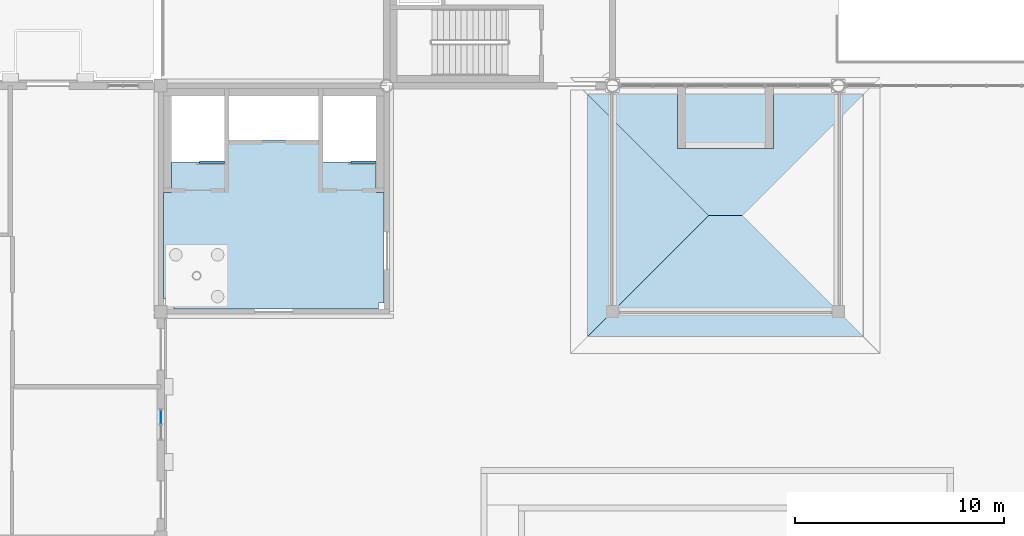
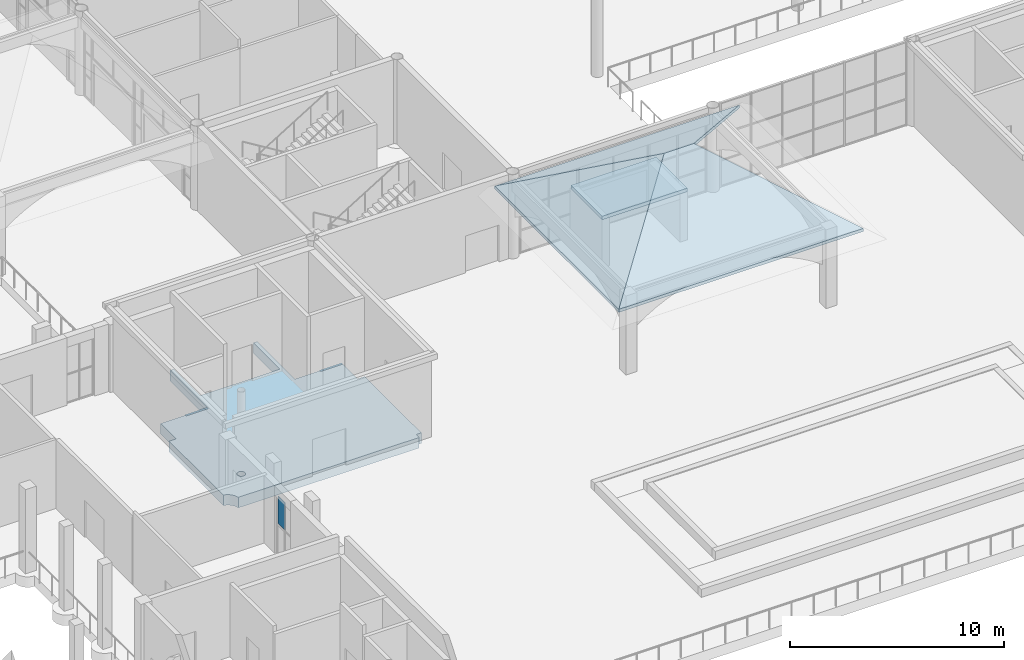
# One storey, part 33 of 91: 7 slabs, 1 plate, 1 element without a shape of its own.
"""IFC4 building model written with IfcOpenShell, lengths in metres."""

from ifc_helpers import new_model, si_unit, direction, frame, origin, origin_2d, place, context, subcontext, project, spatial, polyline, rectangle, outline, extrude, material, layer, layer_set, type_object, element, aggregate, save


model = new_model("IFC4")

# Units and contexts
model_context = context("Model", 3, precision=1e-05, world=origin(), true_north=direction((0.0, 1.0)))
body_context = subcontext(model_context, "Body", "Model", "MODEL_VIEW")
ifc_project = project(units=[si_unit("LENGTHUNIT", "METRE"), si_unit("AREAUNIT", "SQUARE_METRE"), si_unit("VOLUMEUNIT", "CUBIC_METRE"), si_unit("PLANEANGLEUNIT", "RADIAN"), si_unit("MASSUNIT", "GRAM", prefix="KILO")], contexts=[model_context])

# Site, building, storey
site_placement = place(None, origin())
site = spatial("IfcSite", under=ifc_project, at=site_placement, CompositionType="ELEMENT")
building_placement = place(site_placement, origin())
building = spatial("IfcBuilding", under=site, at=building_placement, Name="Magnolia Steps Interchange", CompositionType="ELEMENT")
storey_placement = place(building_placement, origin())
storey = spatial("IfcBuildingStorey", under=building, at=storey_placement, Name="L00", CompositionType="ELEMENT", Elevation=0.0)

# Slabs
ifc_material_1 = material(Name="Concrete C35", Category="concrete")
ifc_layer_1 = layer(ifc_material_1, 0.199951171875)
ifc_layer_set_1 = layer_set([ifc_layer_1], Name="Core floor nib 200")
slab_type_1 = type_object("IfcSlabType", Name="Core floor nib 200", PredefinedType="FLOOR", material=ifc_layer_set_1)
slab_1_placement = place(storey_placement, frame((0.0, 0.0, -0.199951171875)))
element("IfcSlab", 1, at=slab_1_placement, inside=storey, type_object=slab_type_1, Name="L00 core floor nib BC1", PredefinedType="FLOOR", context=body_context, shape_type="SweptSolid", body=[
    extrude(outline(polyline([(44.25, 38.679931640625), (44.25, 38.800048828125), (45.449951171875, 38.800048828125), (45.449951171875, 38.679931640625), (44.25, 38.679931640625)])), origin(), (0.0, 0.0, 1.0), 0.199951171875),
])
slab_2_placement = place(storey_placement, frame((0.0, 0.0, -0.199951171875)))
element("IfcSlab", 2, at=slab_2_placement, inside=storey, type_object=slab_type_1, Name="L00 core floor nib BC1", PredefinedType="FLOOR", context=body_context, shape_type="SweptSolid", body=[
    extrude(outline(polyline([(51.5, 38.679931640625), (51.5, 38.800048828125), (52.699951171875, 38.800048828125), (52.699951171875, 38.679931640625), (51.5, 38.679931640625)])), origin(), (0.0, 0.0, 1.0), 0.199951171875),
])
ifc_material_2 = material(Name="Concrete C35", Category="concrete")
ifc_layer_2 = layer(ifc_material_2, 0.60009765625)
ifc_layer_set_2 = layer_set([ifc_layer_2], Name="Core floor slab 600")
slab_type_2 = type_object("IfcSlabType", Name="Core floor slab 600", PredefinedType="FLOOR", material=ifc_layer_set_2)
slab_3_placement = place(storey_placement, frame((0.0, 0.0, -0.60009765625)))
element("IfcSlab", 3, at=slab_3_placement, inside=storey, type_object=slab_type_2, Name="L00 core floor BC1", PredefinedType="FLOOR", context=body_context, shape_type="SweptSolid", body=[
    extrude(outline(polyline([(42.52490234375, 37.300048828125), (42.89990234375, 37.300048828125), (42.89990234375, 38.75), (44.25, 38.75), (44.25, 38.679931640625), (45.449951171875, 38.679931640625), (45.449951171875, 42.27490234375), (45.64990234375, 42.27490234375), (45.64990234375, 39.800048828125), (49.949951171875, 39.800048828125), (49.949951171875, 42.27490234375), (50.14990234375, 42.27490234375), (50.14990234375, 38.75), (51.5, 38.75), (51.5, 38.679931640625), (52.699951171875, 38.679931640625), (52.699951171875, 37.300048828125), (53.074951171875, 37.300048828125), (53.074951171875, 32.0), (52.800048828125, 32.0), (52.800048828125, 31.72509765625), (43.037841796875, 31.72509765625), (43.03759765625, 31.726806640625), (43.02197265625, 31.788818359375), (43.00048828125, 31.8486328125), (42.97314453125, 31.906494140625), (42.9404296875, 31.961181640625), (42.902587890625, 32.012451171875), (42.859619140625, 32.0595703125), (42.8125, 32.1025390625), (42.760986328125, 32.140380859375), (42.706298828125, 32.173095703125), (42.648681640625, 32.200439453125), (42.588623046875, 32.221923828125), (42.52685546875, 32.237548828125), (42.52490234375, 32.23779296875), (42.52490234375, 37.300048828125)]), holes=[polyline([(44.312744140625, 33.274169921875), (44.315673828125, 33.293701171875), (44.316650390625, 33.313720703125), (44.315673828125, 33.33349609375), (44.312744140625, 33.353271484375), (44.307861328125, 33.37255859375), (44.30126953125, 33.391357421875), (44.292724609375, 33.409423828125), (44.282470703125, 33.426513671875), (44.2705078125, 33.4423828125), (44.25732421875, 33.457275390625), (44.242431640625, 33.470703125), (44.2265625, 33.482421875), (44.20947265625, 33.49267578125), (44.19140625, 33.501220703125), (44.172607421875, 33.508056640625), (44.1533203125, 33.5126953125), (44.133544921875, 33.515625), (44.11376953125, 33.5166015625), (44.09375, 33.515625), (44.07421875, 33.5126953125), (44.0546875, 33.508056640625), (44.0361328125, 33.501220703125), (44.01806640625, 33.49267578125), (44.0009765625, 33.482421875), (43.98486328125, 33.470703125), (43.97021484375, 33.457275390625), (43.956787109375, 33.4423828125), (43.94482421875, 33.426513671875), (43.9345703125, 33.409423828125), (43.92626953125, 33.391357421875), (43.91943359375, 33.37255859375), (43.91455078125, 33.353271484375), (43.91162109375, 33.33349609375), (43.91064453125, 33.313720703125), (43.91162109375, 33.293701171875), (43.91455078125, 33.274169921875), (43.91943359375, 33.2548828125), (43.92626953125, 33.236083984375), (43.9345703125, 33.218017578125), (43.94482421875, 33.200927734375), (43.956787109375, 33.184814453125), (43.97021484375, 33.170166015625), (43.98486328125, 33.15673828125), (44.0009765625, 33.14501953125), (44.01806640625, 33.134765625), (44.0361328125, 33.126220703125), (44.0546875, 33.119384765625), (44.07421875, 33.114501953125), (44.09375, 33.111572265625), (44.11376953125, 33.110595703125), (44.133544921875, 33.111572265625), (44.1533203125, 33.114501953125), (44.172607421875, 33.119384765625), (44.19140625, 33.126220703125), (44.20947265625, 33.134765625), (44.2265625, 33.14501953125), (44.242431640625, 33.15673828125), (44.25732421875, 33.170166015625), (44.2705078125, 33.184814453125), (44.282470703125, 33.200927734375), (44.292724609375, 33.218017578125), (44.30126953125, 33.236083984375), (44.307861328125, 33.2548828125), (44.312744140625, 33.274169921875)])]), origin(), (0.0, 0.0, 1.0), 0.60009765625),
])
ifc_material_3 = material(Name="Concrete C40", Category="concrete")
ifc_layer_3 = layer(ifc_material_3, 0.199951171875)
ifc_layer_set_3 = layer_set([ifc_layer_3], Name="Entrance canopy slab 200")
slab_type_3 = type_object("IfcSlabType", Name="Entrance canopy slab 200", PredefinedType="ROOF", material=ifc_layer_set_3)
slab_4_placement = place(storey_placement, frame((0.0, 0.0, 2.75)))
element("IfcSlab", 4, at=slab_4_placement, inside=storey, type_object=slab_type_3, Name="Entrance canopy 2", PredefinedType="ROOF", context=body_context, shape_type="SweptSolid", body=[
    extrude(outline(polyline([(67.10009765625, 39.39990234375), (71.699951171875, 39.39990234375), (71.699951171875, 42.324951171875), (67.10009765625, 42.324951171875), (67.10009765625, 39.39990234375)])), origin(), (0.0, 0.0, 1.0), 0.199951171875),
])

# Curtain wall, plate
ifc_material_4 = material(Name="Timber-framed glazing", Category="wood")
ifc_layer_4 = layer(ifc_material_4, 0.139892578125)
ifc_layer_set_4 = layer_set([ifc_layer_4], Name="Cycle hub shopfront curtain wall")
curtain_wall_type = type_object("IfcCurtainWallType", Name="Cycle hub shopfront curtain wall", PredefinedType="NOTDEFINED", material=ifc_layer_set_4)
curtain_wall_placement = place(storey_placement, origin())
curtain_wall = element("IfcCurtainWall", 5, at=curtain_wall_placement, inside=storey, type_object=curtain_wall_type, Name="Cycle hub east wall L00 glazing 2", PredefinedType="NOTDEFINED")
ifc_material_5 = material(Name="Laminated glass", Category="glass")
ifc_layer_5 = layer(ifc_material_5, 0.028076171875)
ifc_layer_set_5 = layer_set([ifc_layer_5], Name="Glass panel 28")
plate_type = type_object("IfcPlateType", Name="Glass panel 28", PredefinedType="CURTAIN_PANEL", material=ifc_layer_set_5)
plate_placement = place(storey_placement, frame((42.39990234375, 26.56005859375, 1.679931640625), z_axis=(0.0, 0.0, 1.0), x_axis=(0.0, 1.0, 0.0)))
plate = element("IfcPlate", 6, at=plate_placement, type_object=plate_type, Name="CW7 panel 2.2", PredefinedType="CURTAIN_PANEL", context=body_context, shape_type="SweptSolid", body=[
    extrude(rectangle(XDim=0.659912109375, YDim=0.028076171875, at=origin_2d()), origin(), (0.0, 0.0, 1.0), 1.56005859375),
])
aggregate(curtain_wall, [plate])

# Slabs
ifc_material_6 = material(Name="Concrete C40", Category="concrete")
ifc_layer_6 = layer(ifc_material_6, 0.14990234375)
ifc_layer_set_6 = layer_set([ifc_layer_6], Name="Pavilion roof slab 150")
slab_type_4 = type_object("IfcSlabType", Name="Pavilion roof slab 150", PredefinedType="ROOF", material=ifc_layer_set_6)
for number, where, z_axis, x_axis, name in (
    (7, (62.800048828125, 30.39990234375, 4.606689453125), (0.0, -0.500543489735, 0.865711392373), (1.0, 0.0, 0.0), "Portico roof slab PT-S2 1"),
    (8, (76.0, 42.0, 4.606689453125), (0.0, 0.500543489735, 0.865711392373), (-1.0, 0.0, 0.0), "Portico roof slab PT-S2 2"),
):
    element("IfcSlab", number, at=place(storey_placement, frame(where, z_axis=z_axis, x_axis=x_axis)), inside=storey, type_object=slab_type_4, Name=name, PredefinedType="ROOF", context=body_context, shape_type="SweptSolid", body=[
        extrude(outline(polyline([(0.0, 0.0), (13.199951172, 0.0), (7.399902344, 6.699748761), (5.800048828, 6.699748761), (0.0, 0.0)])), origin(), (0.0, -0.500543489735, -0.865711392373), 0.17333984375),
    ])
slab_5_placement = place(storey_placement, frame((62.800048828125, 42.0, 4.606689453125), z_axis=(-0.500543489735, 0.0, 0.865711392373), x_axis=(0.0, -1.0, 0.0)))
element("IfcSlab", 9, at=slab_5_placement, inside=storey, type_object=slab_type_4, Name="Portico roof slab PT-S2 3", PredefinedType="ROOF", context=body_context, shape_type="SweptSolid", body=[
    extrude(outline(polyline([(0.0, 0.0), (11.600097656, 0.0), (5.800048828, 6.699748761), (0.0, 0.0)])), origin(), (0.0, -0.500543489735, -0.865711392373), 0.17333984375),
])

save(model, "model.ifc")
